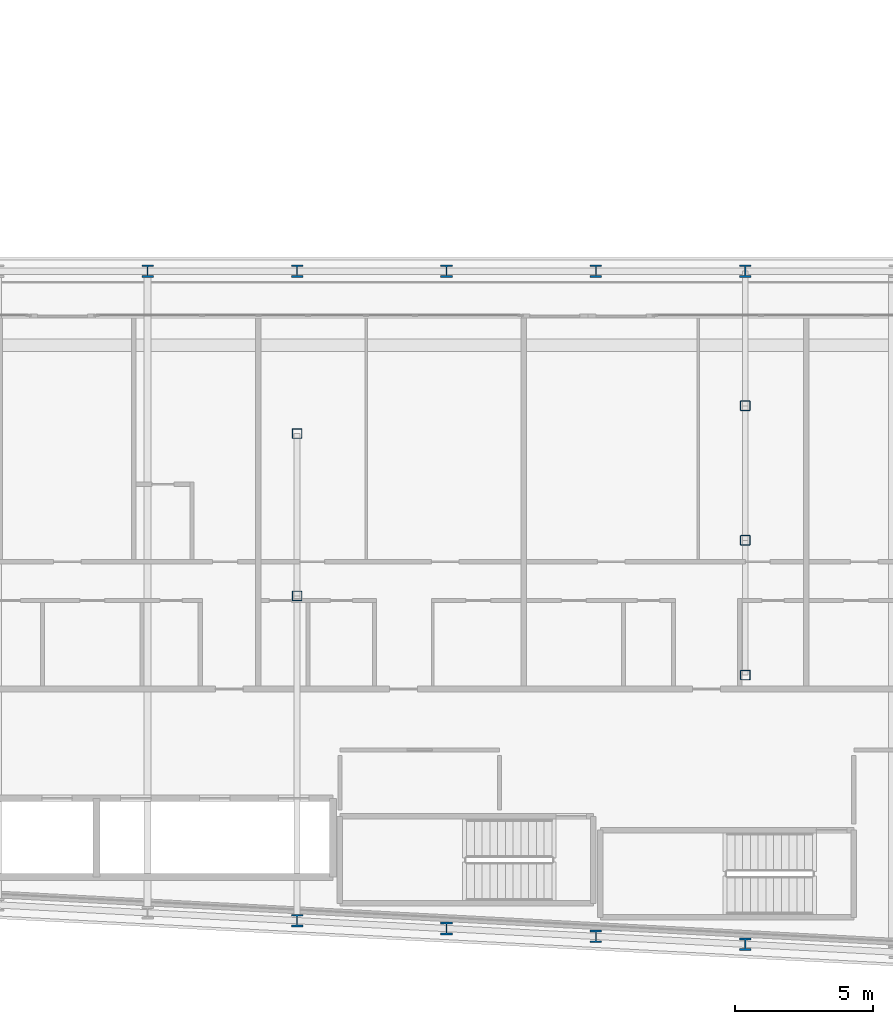
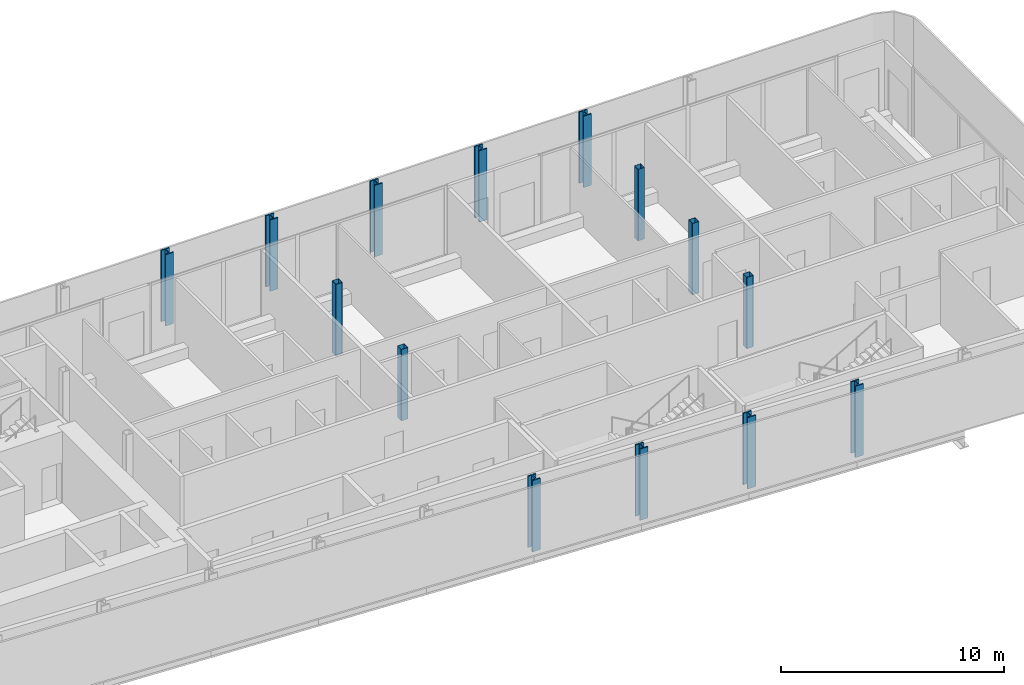
# One storey, part 2 of 26: 14 columns.
"""IFC4 building model written with IfcOpenShell, lengths in metres."""

from ifc_helpers import new_model, si_unit, direction, frame, origin, origin_2d, place, context, subcontext, project, spatial, hollow_rectangle, i_section, extrude, material, material_profile, profile_set, type_object, element, save


model = new_model("IFC4")

# Units and contexts
model_context = context("Model", 3, precision=1e-05, world=origin(), true_north=direction((0.0, 1.0)))
body_context = subcontext(model_context, "Body", "Model", "MODEL_VIEW")
ifc_project = project(units=[si_unit("LENGTHUNIT", "METRE"), si_unit("AREAUNIT", "SQUARE_METRE"), si_unit("VOLUMEUNIT", "CUBIC_METRE"), si_unit("PLANEANGLEUNIT", "RADIAN"), si_unit("MASSUNIT", "GRAM", prefix="KILO")], contexts=[model_context])

# Site, building, storey
site_placement = place(None, origin())
site = spatial("IfcSite", under=ifc_project, at=site_placement, CompositionType="ELEMENT")
building_placement = place(site_placement, origin())
building = spatial("IfcBuilding", under=site, at=building_placement, Name="Kheshtan School and Residences Tower", CompositionType="ELEMENT")
storey_placement = place(building_placement, frame((0.0, 0.0, 105.800048828125)))
storey = spatial("IfcBuildingStorey", under=building, at=storey_placement, Name="L24", CompositionType="ELEMENT", Elevation=105.800048828125)

# Columns
ifc_material_1 = material(Name="Steel ASTM A992 Grade 50", Category="steel")
ifc_material_profile_1 = material_profile(ifc_material_1, i_section(OverallWidth=0.41796875, OverallDepth=0.455078125, WebThickness=0.042236328125, FlangeThickness=0.067626953125, FilletRadius=0.013671875, at=origin_2d()), Name="W360x551")
ifc_profile_set_1 = profile_set([ifc_material_profile_1], Name="Steel ASTM A992 Grade 50")
column_type_1 = type_object("IfcColumnType", Name="Column C2 W360x551 ASTM A992 Grade 50", PredefinedType="COLUMN", material=ifc_profile_set_1)
for number, where, z_axis, x_axis, name in (
    (1, (85.39990234375, 21.27392578125, 0.0), (0.0, 0.0, 1.0), (1.0, 0.0, 0.0), "Column C008"),
    (2, (80.0, 21.55810546875, 0.0), (0.0, 0.0, 1.0), (1.0, 0.0, 0.0), "Column C012"),
    (3, (74.60009765625, 21.843017578125, 0.0), (0.0, 0.0, 1.0), (1.0, 0.0, 0.0), "Column C013"),
    (4, (69.199951171875, 22.126953125, 0.0), (0.0, 0.0, 1.0), (1.0, 0.0, 0.0), "Column C014"),
    (5, (63.800048828125, 45.60009765625, 0.0), (0.0, 0.0, 1.0), (1.0, 0.0, 0.0), "Column C063"),
    (6, (69.199951171875, 45.60009765625, 0.0), (0.0, 0.0, 1.0), (1.0, 0.0, 0.0), "Column C064"),
    (7, (74.60009765625, 45.60009765625, 0.0), (0.0, 0.0, 1.0), (1.0, 0.0, 0.0), "Column C065"),
    (8, (80.0, 45.60009765625, 0.0), (0.0, 0.0, 1.0), (1.0, 0.0, 0.0), "Column C066"),
    (9, (85.39990234375, 45.60009765625, 0.0), (0.0, 0.0, 1.0), (1.0, 0.0, 0.0), "Column C067"),
):
    element("IfcColumn", number, at=place(storey_placement, frame(where, z_axis=z_axis, x_axis=x_axis)), inside=storey, type_object=column_type_1, Name=name, PredefinedType="COLUMN", context=body_context, shape_type="SweptSolid", body=[
        extrude(i_section(OverallWidth=0.41796875, OverallDepth=0.455078125, WebThickness=0.042236328125, FlangeThickness=0.067626953125, FilletRadius=0.013671875, at=origin_2d()), origin(), (0.0, 0.0, 1.0), 3.89990234375),
    ])
ifc_material_2 = material(Name="Steel ASTM A500 Grade C", Category="steel")
ifc_material_profile_2 = material_profile(ifc_material_2, hollow_rectangle(XDim=0.35595703125, YDim=0.35595703125, WallThickness=0.015869140625, InnerFilletRadius=0.015869140625, OuterFilletRadius=0.03173828125, at=origin_2d()), Name="HSS 356x356x15.9")
ifc_profile_set_2 = profile_set([ifc_material_profile_2], Name="Steel ASTM A500 Grade C")
column_type_2 = type_object("IfcColumnType", Name="Column IC1 HSS 356x356x15.9 ASTM A500 Grade C", PredefinedType="COLUMN", material=ifc_profile_set_2)
for number, where, z_axis, x_axis, name in (
    (10, (85.39990234375, 31.0048828125, 0.0), (0.0, 0.0, 1.0), (1.0, 0.0, 0.0), "Column C049"),
    (11, (69.199951171875, 33.863037109375, 0.0), (0.0, 0.0, 1.0), (1.0, 0.0, 0.0), "Column C050"),
    (12, (85.39990234375, 35.8701171875, 0.0), (0.0, 0.0, 1.0), (1.0, 0.0, 0.0), "Column C053"),
    (13, (69.199951171875, 39.73193359375, 0.0), (0.0, 0.0, 1.0), (1.0, 0.0, 0.0), "Column C054"),
    (14, (85.39990234375, 40.735107421875, 0.0), (0.0, 0.0, 1.0), (1.0, 0.0, 0.0), "Column C057"),
):
    element("IfcColumn", number, at=place(storey_placement, frame(where, z_axis=z_axis, x_axis=x_axis)), inside=storey, type_object=column_type_2, Name=name, PredefinedType="COLUMN", context=body_context, shape_type="SweptSolid", body=[
        extrude(hollow_rectangle(XDim=0.35595703125, YDim=0.35595703125, WallThickness=0.015869140625, InnerFilletRadius=0.015869140625, OuterFilletRadius=0.03173828125, at=origin_2d()), origin(), (0.0, 0.0, 1.0), 3.89990234375),
    ])

save(model, "model.ifc")
